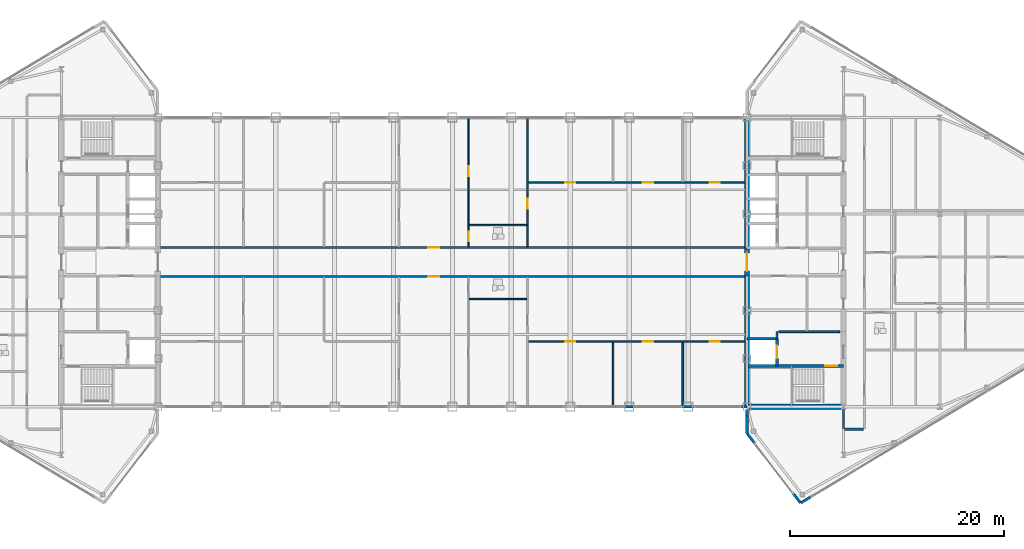
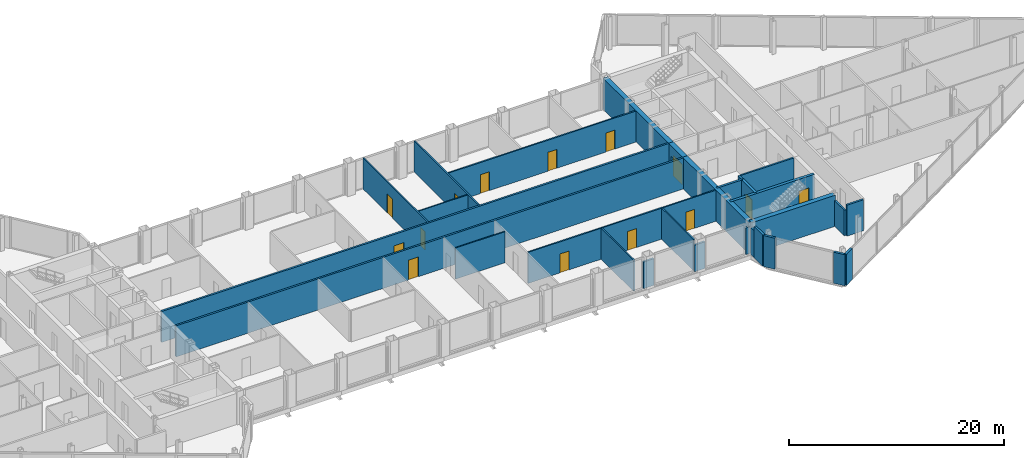
# One storey, part 24 of 29: 29 walls, 14 doors, 14 openings.
"""IFC4 building model written with IfcOpenShell, lengths in metres."""

from ifc_helpers import new_model, si_unit, direction, frame, frame_2d, origin, place, context, subcontext, project, spatial, rectangle, extrude, source, transform, mapped, material, layer, layer_set, type_object, type_shapes, element, fill, save


model = new_model("IFC4")

# Units and contexts
model_context = context("Model", 3, precision=1e-05, world=origin(), true_north=direction((0.0, 1.0)))
body_context = subcontext(model_context, "Body", "Model", "MODEL_VIEW")
ifc_project = project(units=[si_unit("LENGTHUNIT", "METRE"), si_unit("AREAUNIT", "SQUARE_METRE"), si_unit("VOLUMEUNIT", "CUBIC_METRE"), si_unit("PLANEANGLEUNIT", "RADIAN"), si_unit("MASSUNIT", "GRAM", prefix="KILO")], contexts=[model_context])

# Site, building, storey
site_placement = place(None, origin())
site = spatial("IfcSite", under=ifc_project, at=site_placement, CompositionType="ELEMENT")
building_placement = place(site_placement, origin())
building = spatial("IfcBuilding", under=site, at=building_placement, Name="Seokmaru Belvedere", CompositionType="ELEMENT")
storey_placement = place(building_placement, frame((0.0, 0.0, 246.89990234375)))
storey = spatial("IfcBuildingStorey", under=building, at=storey_placement, Name="L65", CompositionType="ELEMENT", Elevation=246.89990234375)

# Wall, openings, doors
ifc_material_1 = material(Name="Fire-Rated Gypsum Shaftwall")
ifc_layer_1 = layer(ifc_material_1, 0.14990234375)
ifc_layer_set_1 = layer_set([ifc_layer_1], Name="Fire-Rated Gypsum Shaftwall")
wall_type_1 = type_object("IfcWallType", Name="Apartment Fire-Acoustic Room Partition 150", PredefinedType="PARTITIONING", material=ifc_layer_set_1)
wall_1_placement = place(storey_placement, frame((7.0849609375, -7.419921875, 0.0), z_axis=(0.0, 0.0, 1.0), x_axis=(1.0, 0.0, 0.0)))
wall_1 = element("IfcWall", 1, at=wall_1_placement, inside=storey, type_object=wall_type_1, Name="L65 Interior Partition 007", PredefinedType="PARTITIONING", context=body_context, shape_type="SweptSolid", body=[
    extrude(rectangle(XDim=20.16015625, YDim=0.14990234375, at=frame_2d((10.080078125, 0.0))), origin(), (0.0, 0.0, 1.0), 3.530029296875),
])
opening_1_placement = place(wall_1_placement, frame((3.43994140625, 0.0, 0.0)))
opening_1 = element("IfcOpeningElement", 2, at=opening_1_placement, cuts=wall_1, Name="Opening D05", PredefinedType="OPENING", context=body_context, shape_type="SweptSolid", body=[
    extrude(rectangle(XDim=0.949951171875, YDim=2.14990234375, at=frame_2d((0.47509765625, 1.074951171875))), frame((0.0, 0.0849609375, 0.0), z_axis=(0.0, -1.0, 0.0), x_axis=(1.0, 0.0, 0.0)), (0.0, 0.0, 1.0), 0.169921875),
])
opening_2_placement = place(wall_1_placement, frame((10.68994140625, 0.0, 0.0)))
opening_2 = element("IfcOpeningElement", 3, at=opening_2_placement, cuts=wall_1, Name="Opening D05", PredefinedType="OPENING", context=body_context, shape_type="SweptSolid", body=[
    extrude(rectangle(XDim=0.949951171875, YDim=2.14990234375, at=frame_2d((0.47509765625, 1.074951171875))), frame((0.0, 0.0849609375, 0.0), z_axis=(0.0, -1.0, 0.0), x_axis=(1.0, 0.0, 0.0)), (0.0, 0.0, 1.0), 0.169921875),
])
opening_3_placement = place(wall_1_placement, frame((16.93994140625, 0.0, 0.0)))
opening_3 = element("IfcOpeningElement", 4, at=opening_3_placement, cuts=wall_1, Name="Opening D05", PredefinedType="OPENING", context=body_context, shape_type="SweptSolid", body=[
    extrude(rectangle(XDim=0.949951171875, YDim=2.14990234375, at=frame_2d((0.47509765625, 1.074951171875))), frame((0.0, 0.0849609375, 0.0), z_axis=(0.0, -1.0, 0.0), x_axis=(1.0, 0.0, 0.0)), (0.0, 0.0, 1.0), 0.169921875),
])
ifc_material_2 = material(Name="Engineered White Oak Timber", Category="wood")
door_type_1 = type_object("IfcDoorType", Name="Apartment Interior Fire-Rated Oak Door 950x2150", OperationType="NOTDEFINED", PredefinedType="DOOR", material=ifc_material_2)
shared_shape_1 = source(origin(), body_context, "Body", "SweptSolid", [
    extrude(rectangle(XDim=0.949951171875, YDim=2.14990234375, at=frame_2d((0.47509765625, 1.074951171875))), frame((0.0, 0.02490234375, 0.0), z_axis=(0.0, -1.0, 0.0), x_axis=(1.0, 0.0, 0.0)), (0.0, 0.0, 1.0), 0.050048828125),
])
type_shapes(door_type_1, [shared_shape_1])
door_1_placement = place(opening_1_placement, origin())
door_1 = element("IfcDoor", 5, at=door_1_placement, inside=storey, type_object=door_type_1, Name="L65 Interior Door 034", OperationType="SINGLE_SWING_LEFT", OverallHeight=2.14990234375, OverallWidth=0.949951171875, PredefinedType="DOOR", context=body_context, shape_type="MappedRepresentation", body=[
    mapped(shared_shape_1, transform((0.0, 0.0, 0.0), scale=1.0)),
])
fill(opening_1, door_1)
door_2_placement = place(opening_2_placement, origin())
door_2 = element("IfcDoor", 6, at=door_2_placement, inside=storey, type_object=door_type_1, Name="L65 Interior Door 035", OperationType="SINGLE_SWING_RIGHT", OverallHeight=2.14990234375, OverallWidth=0.949951171875, PredefinedType="DOOR", context=body_context, shape_type="MappedRepresentation", body=[
    mapped(shared_shape_1, transform((0.0, 0.0, 0.0), scale=1.0)),
])
fill(opening_2, door_2)
door_3_placement = place(opening_3_placement, origin())
door_3 = element("IfcDoor", 7, at=door_3_placement, inside=storey, type_object=door_type_1, Name="L65 Interior Door 036", OperationType="SINGLE_SWING_LEFT", OverallHeight=2.14990234375, OverallWidth=0.949951171875, PredefinedType="DOOR", context=body_context, shape_type="MappedRepresentation", body=[
    mapped(shared_shape_1, transform((0.0, 0.0, 0.0), scale=1.0)),
])
fill(opening_3, door_3)

wall_2_placement = place(storey_placement, frame((7.0849609375, 7.419921875, 0.0), z_axis=(0.0, 0.0, 1.0), x_axis=(1.0, 0.0, 0.0)))
wall_2 = element("IfcWall", 8, at=wall_2_placement, inside=storey, type_object=wall_type_1, Name="L65 Interior Partition 024", PredefinedType="PARTITIONING", context=body_context, shape_type="SweptSolid", body=[
    extrude(rectangle(XDim=20.16015625, YDim=0.14990234375, at=frame_2d((10.080078125, 0.0))), origin(), (0.0, 0.0, 1.0), 3.530029296875),
])
opening_4_placement = place(wall_2_placement, frame((3.43994140625, 0.0, 0.0)))
opening_4 = element("IfcOpeningElement", 9, at=opening_4_placement, cuts=wall_2, Name="Opening D05", PredefinedType="OPENING", context=body_context, shape_type="SweptSolid", body=[
    extrude(rectangle(XDim=0.949951171875, YDim=2.14990234375, at=frame_2d((0.47509765625, 1.074951171875))), frame((0.0, 0.0849609375, 0.0), z_axis=(0.0, -1.0, 0.0), x_axis=(1.0, 0.0, 0.0)), (0.0, 0.0, 1.0), 0.169921875),
])
opening_5_placement = place(wall_2_placement, frame((10.68994140625, 0.0, 0.0)))
opening_5 = element("IfcOpeningElement", 10, at=opening_5_placement, cuts=wall_2, Name="Opening D05", PredefinedType="OPENING", context=body_context, shape_type="SweptSolid", body=[
    extrude(rectangle(XDim=0.949951171875, YDim=2.14990234375, at=frame_2d((0.47509765625, 1.074951171875))), frame((0.0, 0.0849609375, 0.0), z_axis=(0.0, -1.0, 0.0), x_axis=(1.0, 0.0, 0.0)), (0.0, 0.0, 1.0), 0.169921875),
])
opening_6_placement = place(wall_2_placement, frame((16.93994140625, 0.0, 0.0)))
opening_6 = element("IfcOpeningElement", 11, at=opening_6_placement, cuts=wall_2, Name="Opening D05", PredefinedType="OPENING", context=body_context, shape_type="SweptSolid", body=[
    extrude(rectangle(XDim=0.949951171875, YDim=2.14990234375, at=frame_2d((0.47509765625, 1.074951171875))), frame((0.0, 0.0849609375, 0.0), z_axis=(0.0, -1.0, 0.0), x_axis=(1.0, 0.0, 0.0)), (0.0, 0.0, 1.0), 0.169921875),
])
door_4_placement = place(opening_4_placement, origin())
door_4 = element("IfcDoor", 12, at=door_4_placement, inside=storey, type_object=door_type_1, Name="L65 Interior Door 045", OperationType="SINGLE_SWING_LEFT", OverallHeight=2.14990234375, OverallWidth=0.949951171875, PredefinedType="DOOR", context=body_context, shape_type="MappedRepresentation", body=[
    mapped(shared_shape_1, transform((0.0, 0.0, 0.0), scale=1.0)),
])
fill(opening_4, door_4)
door_5_placement = place(opening_5_placement, origin())
door_5 = element("IfcDoor", 13, at=door_5_placement, inside=storey, type_object=door_type_1, Name="L65 Interior Door 046", OperationType="SINGLE_SWING_RIGHT", OverallHeight=2.14990234375, OverallWidth=0.949951171875, PredefinedType="DOOR", context=body_context, shape_type="MappedRepresentation", body=[
    mapped(shared_shape_1, transform((0.0, 0.0, 0.0), scale=1.0)),
])
fill(opening_5, door_5)
door_6_placement = place(opening_6_placement, origin())
door_6 = element("IfcDoor", 14, at=door_6_placement, inside=storey, type_object=door_type_1, Name="L65 Interior Door 047", OperationType="SINGLE_SWING_LEFT", OverallHeight=2.14990234375, OverallWidth=0.949951171875, PredefinedType="DOOR", context=body_context, shape_type="MappedRepresentation", body=[
    mapped(shared_shape_1, transform((0.0, 0.0, 0.0), scale=1.0)),
])
fill(opening_6, door_6)

# Wall, opening, door
wall_3_placement = place(storey_placement, frame((7.0, 1.43505859375, 0.0), z_axis=(0.0, 0.0, 1.0), x_axis=(0.0, 1.0, 0.0)))
wall_3 = element("IfcWall", 15, at=wall_3_placement, inside=storey, type_object=wall_type_1, Name="L65 Interior Partition 043", PredefinedType="PARTITIONING", context=body_context, shape_type="SweptSolid", body=[
    extrude(rectangle(XDim=12.06494140625, YDim=0.14990234375, at=frame_2d((6.032470703125, 0.0))), origin(), (0.0, 0.0, 1.0), 3.530029296875),
])
opening_7_placement = place(wall_3_placement, frame((3.527587890625, 0.0, 0.0)))
opening_7 = element("IfcOpeningElement", 16, at=opening_7_placement, cuts=wall_3, Name="Opening D05", PredefinedType="OPENING", context=body_context, shape_type="SweptSolid", body=[
    extrude(rectangle(XDim=0.949951171875, YDim=2.14990234375, at=frame_2d((0.47509765625, 1.074951171875))), frame((0.0, 0.0849609375, 0.0), z_axis=(0.0, -1.0, 0.0), x_axis=(1.0, 0.0, 0.0)), (0.0, 0.0, 1.0), 0.169921875),
])
door_7_placement = place(opening_7_placement, origin())
door_7 = element("IfcDoor", 17, at=door_7_placement, inside=storey, type_object=door_type_1, Name="L65 Interior Door 044", OperationType="SINGLE_SWING_LEFT", OverallHeight=2.14990234375, OverallWidth=0.949951171875, PredefinedType="DOOR", context=body_context, shape_type="MappedRepresentation", body=[
    mapped(shared_shape_1, transform((0.0, 0.0, 0.0), scale=1.0)),
])
fill(opening_7, door_7)

# Walls
wall_4_placement = place(storey_placement, frame((15.0, -13.5, 0.0), z_axis=(0.0, 0.0, 1.0), x_axis=(0.0, 1.0, 0.0)))
element("IfcWall", 18, at=wall_4_placement, inside=storey, type_object=wall_type_1, Name="L65 Interior Partition 044", PredefinedType="PARTITIONING", context=body_context, shape_type="SweptSolid", body=[
    extrude(rectangle(XDim=5.989990234375, YDim=0.14990234375, at=frame_2d((2.9951171875, 0.0))), origin(), (0.0, 0.0, 1.0), 3.530029296875),
])
wall_5_placement = place(storey_placement, frame((21.5, -13.389892578125, 0.0), z_axis=(0.0, 0.0, 1.0), x_axis=(0.0, 1.0, 0.0)))
element("IfcWall", 19, at=wall_5_placement, inside=storey, type_object=wall_type_1, Name="L65 Interior Partition 046", PredefinedType="PARTITIONING", context=body_context, shape_type="SweptSolid", body=[
    extrude(rectangle(XDim=5.8798828125, YDim=0.14990234375, at=frame_2d((2.93994140625, 0.0))), origin(), (0.0, 0.0, 1.0), 3.530029296875),
])
ifc_material_3 = material(Name="Anodised Bronze Aluminium", Category="aluminium")
ifc_layer_2 = layer(ifc_material_3, 0.2099609375)
ifc_layer_set_2 = layer_set([ifc_layer_2], Name="Anodised Bronze Aluminium")
wall_type_2 = type_object("IfcWallType", Name="Bridge Column Spandrel Closure Pier 210", PredefinedType="SOLIDWALL", material=ifc_layer_set_2)
for number, where, z_axis, x_axis, name in (
    (20, (15.949951171875, -13.5, 0.0), (0.0, 0.0, 1.0), (1.0, 0.0, 0.0), "L65 Bridge South Column Closure Pier 09"),
    (21, (21.449951171875, -13.5, 0.0), (0.0, 0.0, 1.0), (1.0, 0.0, 0.0), "L65 Bridge South Column Closure Pier 10"),
):
    element("IfcWall", number, at=place(storey_placement, frame(where, z_axis=z_axis, x_axis=x_axis)), inside=storey, type_object=wall_type_2, Name=name, PredefinedType="SOLIDWALL", context=body_context, shape_type="SweptSolid", body=[
        extrude(rectangle(XDim=1.10009765625, YDim=0.2099609375, at=frame_2d((0.550048828125, 0.0))), origin(), (0.0, 0.0, 1.0), 3.030029296875),
    ])
wall_6_placement = place(storey_placement, frame((26.949951171875, -13.5, 0.0), z_axis=(0.0, 0.0, 1.0), x_axis=(1.0, 0.0, 0.0)))
element("IfcWall", 22, at=wall_6_placement, inside=storey, type_object=wall_type_2, Name="L65 Bridge South Column Closure Pier 11", PredefinedType="SOLIDWALL", context=body_context, shape_type="SweptSolid", body=[
    extrude(rectangle(XDim=0.5400390625, YDim=0.2099609375, at=frame_2d((0.27001953125, 0.0))), origin(), (0.0, 0.0, 1.0), 3.030029296875),
])
ifc_layer_3 = layer(ifc_material_1, 0.179931640625)
ifc_layer_set_3 = layer_set([ifc_layer_3], Name="Fire-Rated Gypsum Shaftwall")
wall_type_3 = type_object("IfcWallType", Name="Core Service Fire Partition 180", PredefinedType="PARTITIONING", material=ifc_layer_set_3)
wall_7_placement = place(storey_placement, frame((30.449951171875, -6.5, 0.0), z_axis=(0.0, 0.0, 1.0), x_axis=(1.0, 0.0, 0.0)))
element("IfcWall", 23, at=wall_7_placement, inside=storey, type_object=wall_type_3, Name="L65 East Firefighting Lobby Partition", PredefinedType="PARTITIONING", context=body_context, shape_type="SweptSolid", body=[
    extrude(rectangle(XDim=5.699951171875, YDim=0.179931640625, at=frame_2d((2.85009765625, 0.0))), origin(), (0.0, 0.0, 1.0), 3.530029296875),
])
wall_8_placement = place(storey_placement, frame((30.300048828125, -7.1201171875, 0.0), z_axis=(0.0, 0.0, 1.0), x_axis=(0.0, 1.0, 0.0)))
element("IfcWall", 24, at=wall_8_placement, inside=storey, type_object=wall_type_3, Name="L65 East Firefighting Lobby East Closure Wall", PredefinedType="PARTITIONING", context=body_context, shape_type="SweptSolid", body=[
    extrude(rectangle(XDim=0.6201171875, YDim=0.179931640625, at=frame_2d((0.31005859375, 0.0))), origin(), (0.0, 0.0, 1.0), 3.530029296875),
])
ifc_material_4 = material(Name="Concrete C50 (50 MPa)", Category="concrete")
ifc_layer_4 = layer(ifc_material_4, 0.25)
ifc_layer_set_4 = layer_set([ifc_layer_4], Name="Concrete C50 (50 MPa)")
wall_type_4 = type_object("IfcWallType", Name="Hoistway Transverse Concrete Divider Wall 250", PredefinedType="SHEAR", material=ifc_layer_set_4)
wall_9_placement = place(storey_placement, frame((27.5, -7.14990234375, 0.0), z_axis=(0.0, 0.0, 1.0), x_axis=(1.0, 0.0, 0.0)))
element("IfcWall", 25, at=wall_9_placement, inside=storey, type_object=wall_type_4, Name="L65 East Hoistway Divider Core Wall 1", PredefinedType="SHEAR", context=body_context, shape_type="SweptSolid", body=[
    extrude(rectangle(XDim=2.800048828125, YDim=0.25, at=frame_2d((1.39990234375, 0.0))), origin(), (0.0, 0.0, 1.0), 3.530029296875),
])
ifc_layer_5 = layer(ifc_material_1, 0.199951171875)
ifc_layer_set_5 = layer_set([ifc_layer_5], Name="Fire-Rated Gypsum Shaftwall")
wall_type_5 = type_object("IfcWallType", Name="Inter-Tenancy Fire Compartment Partition 200", PredefinedType="PARTITIONING", material=ifc_layer_set_5)
wall_10_placement = place(storey_placement, frame((36.5849609375, -15.60009765625, 0.0), z_axis=(0.0, 0.0, 1.0), x_axis=(1.0, 0.0, 0.0)))
element("IfcWall", 26, at=wall_10_placement, inside=storey, type_object=wall_type_5, Name="L65 Interior Partition 002", PredefinedType="PARTITIONING", context=body_context, shape_type="SweptSolid", body=[
    extrude(rectangle(XDim=1.780029296875, YDim=0.199951171875, at=frame_2d((0.89013671875, 0.0))), origin(), (0.0, 0.0, 1.0), 3.530029296875),
])

# Wall, opening, door
wall_11_placement = place(storey_placement, frame((-27.2451171875, -1.35009765625, 0.0), z_axis=(0.0, 0.0, 1.0), x_axis=(1.0, 0.0, 0.0)))
wall_11 = element("IfcWall", 27, at=wall_11_placement, inside=storey, type_object=wall_type_5, Name="L65 Interior Partition 015", PredefinedType="PARTITIONING", context=body_context, shape_type="SweptSolid", body=[
    extrude(rectangle(XDim=54.490234375, YDim=0.199951171875, at=frame_2d((27.2451171875, 0.0))), origin(), (0.0, 0.0, 1.0), 3.530029296875),
])
opening_8_placement = place(wall_11_placement, frame((24.969970703125, 0.0, 0.0)))
opening_8 = element("IfcOpeningElement", 28, at=opening_8_placement, cuts=wall_11, Name="Opening D03", PredefinedType="OPENING", context=body_context, shape_type="SweptSolid", body=[
    extrude(rectangle(XDim=1.050048828125, YDim=2.25, at=frame_2d((0.52490234375, 1.125))), frame((0.0, 0.10986328125, 0.0), z_axis=(0.0, -1.0, 0.0), x_axis=(1.0, 0.0, 0.0)), (0.0, 0.0, 1.0), 0.219970703125),
])
ifc_material_5 = material(Name="Fire-Rated Steel Leaf", Category="steel")
door_type_2 = type_object("IfcDoorType", Name="Apartment Entrance Fire Door 1050x2250", OperationType="NOTDEFINED", PredefinedType="DOOR", material=ifc_material_5)
shared_shape_2 = source(origin(), body_context, "Body", "SweptSolid", [
    extrude(rectangle(XDim=1.050048828125, YDim=2.25, at=frame_2d((0.52490234375, 1.125))), frame((0.0, 0.02490234375, 0.0), z_axis=(0.0, -1.0, 0.0), x_axis=(1.0, 0.0, 0.0)), (0.0, 0.0, 1.0), 0.050048828125),
])
type_shapes(door_type_2, [shared_shape_2])
door_8_placement = place(opening_8_placement, origin())
door_8 = element("IfcDoor", 29, at=door_8_placement, inside=storey, type_object=door_type_2, Name="L65 Interior Door 026", OperationType="SINGLE_SWING_LEFT", OverallHeight=2.25, OverallWidth=1.050048828125, PredefinedType="DOOR", context=body_context, shape_type="MappedRepresentation", body=[
    mapped(shared_shape_2, transform((0.0, 0.0, 0.0), scale=1.0)),
])
fill(opening_8, door_8)

wall_12_placement = place(storey_placement, frame((-27.2451171875, 1.35009765625, 0.0), z_axis=(0.0, 0.0, 1.0), x_axis=(1.0, 0.0, 0.0)))
wall_12 = element("IfcWall", 30, at=wall_12_placement, inside=storey, type_object=wall_type_5, Name="L65 Interior Partition 018", PredefinedType="PARTITIONING", context=body_context, shape_type="SweptSolid", body=[
    extrude(rectangle(XDim=54.490234375, YDim=0.199951171875, at=frame_2d((27.2451171875, 0.0))), origin(), (0.0, 0.0, 1.0), 3.530029296875),
])
opening_9_placement = place(wall_12_placement, frame((24.969970703125, 0.0, 0.0)))
opening_9 = element("IfcOpeningElement", 31, at=opening_9_placement, cuts=wall_12, Name="Opening D03", PredefinedType="OPENING", context=body_context, shape_type="SweptSolid", body=[
    extrude(rectangle(XDim=1.050048828125, YDim=2.25, at=frame_2d((0.52490234375, 1.125))), frame((0.0, 0.10986328125, 0.0), z_axis=(0.0, -1.0, 0.0), x_axis=(1.0, 0.0, 0.0)), (0.0, 0.0, 1.0), 0.219970703125),
])
door_9_placement = place(opening_9_placement, origin())
door_9 = element("IfcDoor", 32, at=door_9_placement, inside=storey, type_object=door_type_2, Name="L65 Interior Door 037", OperationType="SINGLE_SWING_RIGHT", OverallHeight=2.25, OverallWidth=1.050048828125, PredefinedType="DOOR", context=body_context, shape_type="MappedRepresentation", body=[
    mapped(shared_shape_2, transform((0.0, 0.0, 0.0), scale=1.0)),
])
fill(opening_9, door_9)

# Wall
wall_13_placement = place(storey_placement, frame((36.5, -15.514892578125, 0.0), z_axis=(0.0, 0.0, 1.0), x_axis=(0.0, 1.0, 0.0)))
element("IfcWall", 33, at=wall_13_placement, inside=storey, type_object=wall_type_5, Name="L65 Interior Partition 048", PredefinedType="PARTITIONING", context=body_context, shape_type="SweptSolid", body=[
    extrude(rectangle(XDim=1.760009765625, YDim=0.199951171875, at=frame_2d((0.8798828125, 0.0))), origin(), (0.0, 0.0, 1.0), 2.93017578125),
])

# Wall, opening, door
ifc_layer_6 = layer(ifc_material_4, 0.300048828125)
ifc_layer_set_6 = layer_set([ifc_layer_6], Name="Concrete C50 (50 MPa)")
wall_type_6 = type_object("IfcWallType", Name="Internal Core Stair and Hoistway Wall 300", PredefinedType="SHEAR", material=ifc_layer_set_6)
wall_14_placement = place(storey_placement, frame((27.5, -9.699951171875, 0.0), z_axis=(0.0, 0.0, 1.0), x_axis=(1.0, 0.0, 0.0)))
wall_14 = element("IfcWall", 34, at=wall_14_placement, inside=storey, type_object=wall_type_6, Name="L65 East Stair ST-1 Enclosure Wall", PredefinedType="SHEAR", context=body_context, shape_type="SweptSolid", body=[
    extrude(rectangle(XDim=9.0, YDim=0.300048828125, at=frame_2d((4.5, 0.0))), origin(), (0.0, 0.0, 1.0), 3.530029296875),
])
opening_10_placement = place(wall_14_placement, frame((7.300048828125, 0.0, 0.0)))
opening_10 = element("IfcOpeningElement", 35, at=opening_10_placement, cuts=wall_14, Name="Opening D01", PredefinedType="OPENING", context=body_context, shape_type="SweptSolid", body=[
    extrude(rectangle(XDim=1.10009765625, YDim=2.199951171875, at=frame_2d((0.550048828125, 1.10009765625))), frame((0.0, 0.16015625, 0.0), z_axis=(0.0, -1.0, 0.0), x_axis=(1.0, 0.0, 0.0)), (0.0, 0.0, 1.0), 0.320068359375),
])
door_type_3 = type_object("IfcDoorType", Name="Special Escape Stair Smokeproof Fire Door 1100x2200", OperationType="NOTDEFINED", PredefinedType="DOOR", material=ifc_material_5)
shared_shape_3 = source(origin(), body_context, "Body", "SweptSolid", [
    extrude(rectangle(XDim=1.10009765625, YDim=2.199951171875, at=frame_2d((0.550048828125, 1.10009765625))), frame((0.0, 0.02490234375, 0.0), z_axis=(0.0, -1.0, 0.0), x_axis=(1.0, 0.0, 0.0)), (0.0, 0.0, 1.0), 0.050048828125),
])
type_shapes(door_type_3, [shared_shape_3])
door_10_placement = place(opening_10_placement, frame((1.10009765625, 0.0, 0.0), z_axis=(0.0, 0.0, 1.0), x_axis=(-1.0, 0.0, 0.0)))
door_10 = element("IfcDoor", 36, at=door_10_placement, inside=storey, type_object=door_type_3, Name="L65 East Special Escape Stair ST-1 Door", OperationType="SINGLE_SWING_RIGHT", OverallHeight=2.199951171875, OverallWidth=1.10009765625, PredefinedType="DOOR", context=body_context, shape_type="MappedRepresentation", body=[
    mapped(shared_shape_3, transform((0.0, 0.0, 0.0), scale=1.0)),
])
fill(opening_10, door_10)

wall_15_placement = place(storey_placement, frame((30.300048828125, -9.679931640625, 0.0), z_axis=(0.0, 0.0, 1.0), x_axis=(0.0, 1.0, 0.0)))
wall_15 = element("IfcWall", 37, at=wall_15_placement, inside=storey, type_object=wall_type_6, Name="L65 East Firefighting Lift Shaft Front Wall", PredefinedType="SHEAR", context=body_context, shape_type="SweptSolid", body=[
    extrude(rectangle(XDim=2.559814453125, YDim=0.300048828125, at=frame_2d((1.27978515625, 0.0))), origin(), (0.0, 0.0, 1.0), 3.530029296875),
])
opening_11_placement = place(wall_15_placement, frame((0.679931640625, 0.0, 0.0)))
opening_11 = element("IfcOpeningElement", 38, at=opening_11_placement, cuts=wall_15, Name="Opening LD2", PredefinedType="OPENING", context=body_context, shape_type="SweptSolid", body=[
    extrude(rectangle(XDim=1.199951171875, YDim=2.25, at=frame_2d((0.60009765625, 1.125))), frame((0.0, 0.16015625, 0.0), z_axis=(0.0, -1.0, 0.0), x_axis=(1.0, 0.0, 0.0)), (0.0, 0.0, 1.0), 0.320068359375),
])
ifc_material_6 = material(Name="Stainless Steel 316", Category="steel")
door_type_4 = type_object("IfcDoorType", Name="Firefighting Lift Sliding Landing Door 1200x2250", OperationType="DOUBLE_DOOR_SLIDING", PredefinedType="DOOR", material=ifc_material_6)
shared_shape_4 = source(origin(), body_context, "Body", "SweptSolid", [
    extrude(rectangle(XDim=1.199951171875, YDim=2.25, at=frame_2d((0.60009765625, 1.125))), frame((0.0, 0.02490234375, 0.0), z_axis=(0.0, -1.0, 0.0), x_axis=(1.0, 0.0, 0.0)), (0.0, 0.0, 1.0), 0.050048828125),
])
type_shapes(door_type_4, [shared_shape_4])
door_11_placement = place(opening_11_placement, origin())
door_11 = element("IfcDoor", 39, at=door_11_placement, inside=storey, type_object=door_type_4, Name="L65 East Firefighting Lift Landing Door", OperationType="DOUBLE_DOOR_SLIDING", OverallHeight=2.25, OverallWidth=1.199951171875, PredefinedType="DOOR", context=body_context, shape_type="MappedRepresentation", body=[
    mapped(shared_shape_4, transform((0.0, 0.0, 0.0), scale=1.0)),
])
fill(opening_11, door_11)

# Walls
ifc_layer_7 = layer(ifc_material_1, 0.1298828125)
ifc_layer_set_7 = layer_set([ifc_layer_7], Name="Fire-Rated Gypsum Shaftwall")
wall_type_7 = type_object("IfcWallType", Name="Moisture-Resistant Fire-Rated Bathroom Partition 130", PredefinedType="PARTITIONING", material=ifc_layer_set_7)
for number, where, z_axis, x_axis, name in (
    (40, (1.5849609375, -3.449951171875, 0.0), (0.0, 0.0, 1.0), (1.0, 0.0, 0.0), "L65 Interior Partition 012"),
    (41, (1.5849609375, 3.449951171875, 0.0), (0.0, 0.0, 1.0), (1.0, 0.0, 0.0), "L65 Interior Partition 020"),
):
    element("IfcWall", number, at=place(storey_placement, frame(where, z_axis=z_axis, x_axis=x_axis)), inside=storey, type_object=wall_type_7, Name=name, PredefinedType="PARTITIONING", context=body_context, shape_type="SweptSolid", body=[
        extrude(rectangle(XDim=5.330078125, YDim=0.1298828125, at=frame_2d((2.6650390625, 0.0))), origin(), (0.0, 0.0, 1.0), 3.530029296875),
    ])

# Wall, openings, doors
wall_16_placement = place(storey_placement, frame((1.5, 1.43505859375, 0.0), z_axis=(0.0, 0.0, 1.0), x_axis=(0.0, 1.0, 0.0)))
wall_16 = element("IfcWall", 42, at=wall_16_placement, inside=storey, type_object=wall_type_7, Name="L65 Interior Partition 041", PredefinedType="PARTITIONING", context=body_context, shape_type="SweptSolid", body=[
    extrude(rectangle(XDim=12.06494140625, YDim=0.1298828125, at=frame_2d((6.032470703125, 0.0))), origin(), (0.0, 0.0, 1.0), 3.530029296875),
])
opening_12_placement = place(wall_16_placement, frame((0.52490234375, 0.0, 0.0)))
opening_12 = element("IfcOpeningElement", 43, at=opening_12_placement, cuts=wall_16, Name="Opening D06", PredefinedType="OPENING", context=body_context, shape_type="SweptSolid", body=[
    extrude(rectangle(XDim=0.8798828125, YDim=2.10009765625, at=frame_2d((0.43994140625, 1.050048828125))), frame((0.0, 0.074951171875, 0.0), z_axis=(0.0, -1.0, 0.0), x_axis=(1.0, 0.0, 0.0)), (0.0, 0.0, 1.0), 0.14990234375),
])
opening_13_placement = place(wall_16_placement, frame((6.56494140625, 0.0, 0.0)))
opening_13 = element("IfcOpeningElement", 44, at=opening_13_placement, cuts=wall_16, Name="Opening D05", PredefinedType="OPENING", context=body_context, shape_type="SweptSolid", body=[
    extrude(rectangle(XDim=0.949951171875, YDim=2.14990234375, at=frame_2d((0.47509765625, 1.074951171875))), frame((0.0, 0.074951171875, 0.0), z_axis=(0.0, -1.0, 0.0), x_axis=(1.0, 0.0, 0.0)), (0.0, 0.0, 1.0), 0.14990234375),
])
door_type_5 = type_object("IfcDoorType", Name="Bathroom and Restroom Fire-Rated Door 880x2100", OperationType="NOTDEFINED", PredefinedType="DOOR", material=ifc_material_2)
shared_shape_5 = source(origin(), body_context, "Body", "SweptSolid", [
    extrude(rectangle(XDim=0.8798828125, YDim=2.10009765625, at=frame_2d((0.43994140625, 1.050048828125))), frame((0.0, 0.02490234375, 0.0), z_axis=(0.0, -1.0, 0.0), x_axis=(1.0, 0.0, 0.0)), (0.0, 0.0, 1.0), 0.050048828125),
])
type_shapes(door_type_5, [shared_shape_5])
door_12_placement = place(opening_12_placement, origin())
door_12 = element("IfcDoor", 45, at=door_12_placement, inside=storey, type_object=door_type_5, Name="L65 Interior Door 038", OperationType="SINGLE_SWING_LEFT", OverallHeight=2.10009765625, OverallWidth=0.8798828125, PredefinedType="DOOR", context=body_context, shape_type="MappedRepresentation", body=[
    mapped(shared_shape_5, transform((0.0, 0.0, 0.0), scale=1.0)),
])
fill(opening_12, door_12)
door_13_placement = place(opening_13_placement, origin())
door_13 = element("IfcDoor", 46, at=door_13_placement, inside=storey, type_object=door_type_1, Name="L65 Interior Door 039", OperationType="SINGLE_SWING_RIGHT", OverallHeight=2.14990234375, OverallWidth=0.949951171875, PredefinedType="DOOR", context=body_context, shape_type="MappedRepresentation", body=[
    mapped(shared_shape_1, transform((0.0, 0.0, 0.0), scale=1.0)),
])
fill(opening_13, door_13)

# Walls
ifc_layer_8 = layer(ifc_material_3, 0.239990234375)
ifc_layer_set_8 = layer_set([ifc_layer_8], Name="Anodised Bronze Aluminium")
wall_type_8 = type_object("IfcWallType", Name="Tower Corner Spandrel Closure Wall 240", PredefinedType="SOLIDWALL", material=ifc_layer_set_8)
wall_17_placement = place(storey_placement, frame((32.508544921875, -22.494873046875, 0.0), z_axis=(0.0, 0.0, 1.0), x_axis=(0.85743623509, 0.514590228002, 0.0)))
element("IfcWall", 47, at=wall_17_placement, inside=storey, type_object=wall_type_8, Name="L65 E Corner Closure Pier 1A", PredefinedType="SOLIDWALL", context=body_context, shape_type="SweptSolid", body=[
    extrude(rectangle(XDim=1.14013671875, YDim=0.239990234375, at=frame_2d((0.570068359375, 0.0))), origin(), (0.0, 0.0, 1.0), 3.530029296875),
])
wall_18_placement = place(storey_placement, frame((27.5, -15.97998046875, 0.0), z_axis=(0.0, 0.0, 1.0), x_axis=(0.0, 1.0, 0.0)))
element("IfcWall", 48, at=wall_18_placement, inside=storey, type_object=wall_type_8, Name="L65 E Shoulder Closure Wall 1", PredefinedType="SOLIDWALL", context=body_context, shape_type="SweptSolid", body=[
    extrude(rectangle(XDim=1.605224609375, YDim=0.239990234375, at=frame_2d((0.802734375, 0.0))), origin(), (0.0, 0.0, 1.0), 3.530029296875),
])
wall_19_placement = place(storey_placement, frame((27.5, -14.374755859375, 0.0), z_axis=(0.0, 0.0, 1.0), x_axis=(0.0, 1.0, 0.0)))
element("IfcWall", 49, at=wall_19_placement, inside=storey, type_object=wall_type_8, Name="L65 E Shoulder Closure Wall 1 Part 2", PredefinedType="SOLIDWALL", context=body_context, shape_type="SweptSolid", body=[
    extrude(rectangle(XDim=0.619873046875, YDim=0.239990234375, at=frame_2d((0.31005859375, 0.0))), origin(), (0.0, 0.0, 1.0), 3.030029296875),
])
for number, where, z_axis, x_axis, name in (
    (50, (27.506103515625, -16.0078125, 0.0), (0.0, 0.0, 1.0), (0.609617623633, -0.792695624408, 0.0), "L65 E Corner Closure Pier 6A"),
    (51, (31.798828125, -21.58837890625, 0.0), (0.0, 0.0, 1.0), (0.609617623633, -0.792695624408, 0.0), "L65 E Corner Closure Pier 6B"),
):
    element("IfcWall", number, at=place(storey_placement, frame(where, z_axis=z_axis, x_axis=x_axis)), inside=storey, type_object=wall_type_8, Name=name, PredefinedType="SOLIDWALL", context=body_context, shape_type="SweptSolid", body=[
        extrude(rectangle(XDim=1.14013671875, YDim=0.239990234375, at=frame_2d((0.570068359375, 0.0))), origin(), (0.0, 0.0, 1.0), 3.530029296875),
    ])
ifc_layer_9 = layer(ifc_material_4, 0.5)
ifc_layer_set_9 = layer_set([ifc_layer_9], Name="Concrete C50 (50 MPa)")
wall_type_9 = type_object("IfcWallType", Name="Upper Tower Reinforced Concrete Core Wall 500", PredefinedType="SHEAR", material=ifc_layer_set_9)
for number, where, z_axis, x_axis, name in (
    (52, (27.5, -13.5, 0.0), (0.0, 0.0, 1.0), (0.0, 1.0, 0.0), "L65 East Portal Spine Core Wall South"),
    (53, (27.5, 1.300048828125, 0.0), (0.0, 0.0, 1.0), (0.0, 1.0, 0.0), "L65 East Portal Spine Core Wall North"),
):
    element("IfcWall", number, at=place(storey_placement, frame(where, z_axis=z_axis, x_axis=x_axis)), inside=storey, type_object=wall_type_9, Name=name, PredefinedType="SHEAR", context=body_context, shape_type="SweptSolid", body=[
        extrude(rectangle(XDim=12.199951171875, YDim=0.5, at=frame_2d((6.10009765625, 0.0))), origin(), (0.0, 0.0, 1.0), 3.530029296875),
    ])

# Wall, opening, door
wall_20_placement = place(storey_placement, frame((27.5, -1.300048828125, 0.0), z_axis=(0.0, 0.0, 1.0), x_axis=(0.0, 1.0, 0.0)))
wall_20 = element("IfcWall", 54, at=wall_20_placement, inside=storey, type_object=wall_type_9, Name="L65 East Portal Spine Core Wall Center", PredefinedType="SHEAR", context=body_context, shape_type="SweptSolid", body=[
    extrude(rectangle(XDim=2.60009765625, YDim=0.5, at=frame_2d((1.300048828125, 0.0))), origin(), (0.0, 0.0, 1.0), 3.530029296875),
])
opening_14_placement = place(wall_20_placement, frame((0.449951171875, 0.0, 0.0)))
opening_14 = element("IfcOpeningElement", 55, at=opening_14_placement, cuts=wall_20, Name="Opening D09", PredefinedType="OPENING", context=body_context, shape_type="SweptSolid", body=[
    extrude(rectangle(XDim=1.699951171875, YDim=2.35009765625, at=frame_2d((0.85009765625, 1.175048828125))), frame((0.0, 0.260009765625, 0.0), z_axis=(0.0, -1.0, 0.0), x_axis=(1.0, 0.0, 0.0)), (0.0, 0.0, 1.0), 0.52001953125),
])
door_type_6 = type_object("IfcDoorType", Name="Sky-Gate Bridge Inter-Tower Fire Door 1700x2350", OperationType="DOUBLE_SWING_LEFT", PredefinedType="DOOR", material=ifc_material_5)
shared_shape_6 = source(origin(), body_context, "Body", "SweptSolid", [
    extrude(rectangle(XDim=1.699951171875, YDim=2.35009765625, at=frame_2d((0.85009765625, 1.175048828125))), frame((0.0, 0.02490234375, 0.0), z_axis=(0.0, -1.0, 0.0), x_axis=(1.0, 0.0, 0.0)), (0.0, 0.0, 1.0), 0.050048828125),
])
type_shapes(door_type_6, [shared_shape_6])
door_14_placement = place(opening_14_placement, origin())
door_14 = element("IfcDoor", 56, at=door_14_placement, inside=storey, type_object=door_type_6, Name="L65 East Inter-Tower Fire Door", OperationType="DOUBLE_SWING_LEFT", OverallHeight=2.35009765625, OverallWidth=1.699951171875, PredefinedType="DOOR", context=body_context, shape_type="MappedRepresentation", body=[
    mapped(shared_shape_6, transform((0.0, 0.0, 0.0), scale=1.0)),
])
fill(opening_14, door_14)

# Wall
wall_21_placement = place(storey_placement, frame((27.5, -13.5, 0.0), z_axis=(0.0, 0.0, 1.0), x_axis=(1.0, 0.0, 0.0)))
element("IfcWall", 57, at=wall_21_placement, inside=storey, type_object=wall_type_9, Name="L65 East South Core Wall", PredefinedType="SHEAR", context=body_context, shape_type="SweptSolid", body=[
    extrude(rectangle(XDim=9.0, YDim=0.5, at=frame_2d((4.5, 0.0))), origin(), (0.0, 0.0, 1.0), 3.530029296875),
])

save(model, "model.ifc")
